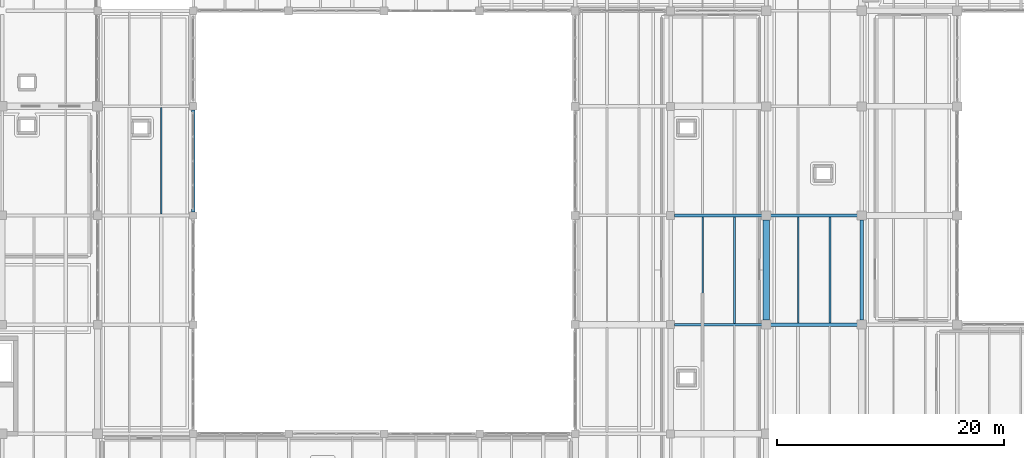
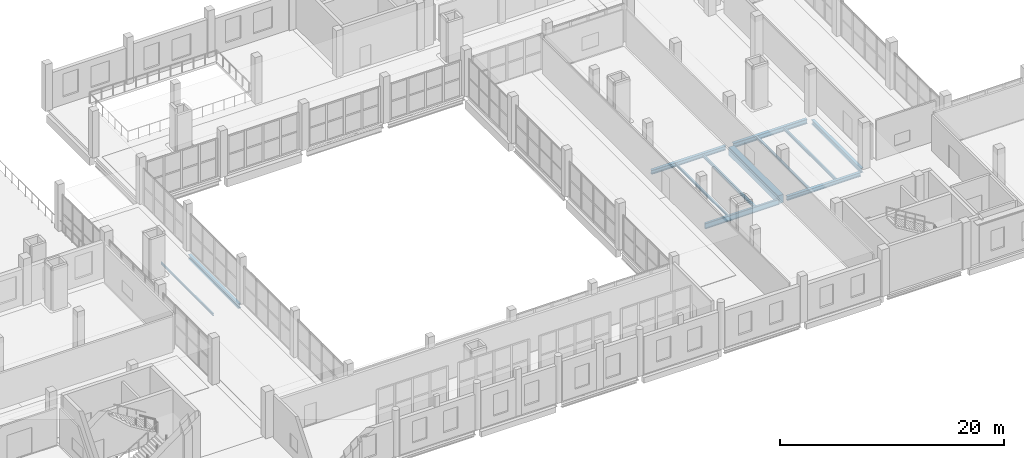
# One storey, part 26 of 73: 12 beams.
"""IFC4 building model written with IfcOpenShell, lengths in metres."""

from ifc_helpers import new_model, si_unit, direction, frame, origin, origin_2d, place, context, subcontext, project, spatial, rectangle, i_section, extrude, material, material_profile, profile_set, type_object, element, save


model = new_model("IFC4")

# Units and contexts
model_context = context("Model", 3, precision=1e-05, world=origin(), true_north=direction((0.0, 1.0)))
body_context = subcontext(model_context, "Body", "Model", "MODEL_VIEW")
ifc_project = project(units=[si_unit("LENGTHUNIT", "METRE"), si_unit("AREAUNIT", "SQUARE_METRE"), si_unit("VOLUMEUNIT", "CUBIC_METRE"), si_unit("PLANEANGLEUNIT", "RADIAN"), si_unit("MASSUNIT", "GRAM", prefix="KILO")], contexts=[model_context])

# Site, building, storey
site_placement = place(None, origin())
site = spatial("IfcSite", under=ifc_project, at=site_placement, CompositionType="ELEMENT")
building_placement = place(site_placement, origin())
building = spatial("IfcBuilding", under=site, at=building_placement, Name="Zulmaris Art Gallery", CompositionType="ELEMENT")
storey_placement = place(building_placement, frame((0.0, 0.0, 10.5)))
storey = spatial("IfcBuildingStorey", under=building, at=storey_placement, Name="L02", CompositionType="ELEMENT", Elevation=10.5)

# Beams
ifc_material_1 = material(Name="Steel S355J2", Category="steel")
ifc_material_profile_1 = material_profile(ifc_material_1, i_section(OverallWidth=0.219970703125, OverallDepth=0.60009765625, WebThickness=0.011962890625, FlangeThickness=0.01904296875, FilletRadius=0.02392578125, at=origin_2d()), Name="IPE 600")
ifc_profile_set_1 = profile_set([ifc_material_profile_1], Name="Steel S355J2")
beam_type_1 = type_object("IfcBeamType", Name="BEAM-BM07", PredefinedType="BEAM", material=ifc_profile_set_1)
beam_1_placement = place(storey_placement, frame((133.534912109375, 31.199951171875, -0.699951171875), z_axis=(1.0, 0.0, 0.0), x_axis=(0.0, 1.0, 0.0)))
element("IfcBeam", 1, at=beam_1_placement, inside=storey, type_object=beam_type_1, Name="L02 X-girder (133.2..141.6, y=31.2)", PredefinedType="BEAM", context=body_context, shape_type="SweptSolid", body=[
    extrude(i_section(OverallWidth=0.219970703125, OverallDepth=0.60009765625, WebThickness=0.011962890625, FlangeThickness=0.01904296875, FilletRadius=0.02392578125, at=origin_2d()), origin(), (0.0, 0.0, 1.0), 7.68017578125),
])
ifc_material_profile_2 = material_profile(ifc_material_1, i_section(OverallWidth=0.300048828125, OverallDepth=0.43994140625, WebThickness=0.011474609375, FlangeThickness=0.02099609375, FilletRadius=0.027099609375, at=origin_2d()), Name="HEA 450")
ifc_profile_set_2 = profile_set([ifc_material_profile_2], Name="Steel S355J2")
beam_type_2 = type_object("IfcBeamType", Name="BEAM-BM10", PredefinedType="BEAM", material=ifc_profile_set_2)
beam_2_placement = place(storey_placement, frame((141.985107421875, 31.199951171875, -0.6201171875), z_axis=(1.0, 0.0, 0.0), x_axis=(0.0, 1.0, 0.0)))
element("IfcBeam", 2, at=beam_2_placement, inside=storey, type_object=beam_type_2, Name="L02 X-girder (141.6..150.0, y=31.2)", PredefinedType="BEAM", context=body_context, shape_type="SweptSolid", body=[
    extrude(i_section(OverallWidth=0.300048828125, OverallDepth=0.43994140625, WebThickness=0.011474609375, FlangeThickness=0.02099609375, FilletRadius=0.027099609375, at=origin_2d()), origin(), (0.0, 0.0, 1.0), 7.6298828125),
])
beam_3_placement = place(storey_placement, frame((133.534912109375, 40.800048828125, -0.6201171875), z_axis=(1.0, 0.0, 0.0), x_axis=(0.0, 1.0, 0.0)))
element("IfcBeam", 3, at=beam_3_placement, inside=storey, type_object=beam_type_2, Name="L02 X-girder (133.2..141.6, y=40.8)", PredefinedType="BEAM", context=body_context, shape_type="SweptSolid", body=[
    extrude(i_section(OverallWidth=0.300048828125, OverallDepth=0.43994140625, WebThickness=0.011474609375, FlangeThickness=0.02099609375, FilletRadius=0.027099609375, at=origin_2d()), origin(), (0.0, 0.0, 1.0), 7.68017578125),
])
ifc_material_profile_3 = material_profile(ifc_material_1, i_section(OverallWidth=0.300048828125, OverallDepth=0.489990234375, WebThickness=0.011962890625, FlangeThickness=0.02294921875, FilletRadius=0.027099609375, at=origin_2d()), Name="HEA 500")
ifc_profile_set_3 = profile_set([ifc_material_profile_3], Name="Steel S355J2")
beam_type_3 = type_object("IfcBeamType", Name="BEAM-BM11", PredefinedType="BEAM", material=ifc_profile_set_3)
beam_4_placement = place(storey_placement, frame((150.0, 31.5849609375, -0.64501953125), z_axis=(0.0, 1.0, 0.0), x_axis=(-1.0, 0.0, 0.0)))
element("IfcBeam", 4, at=beam_4_placement, inside=storey, type_object=beam_type_3, Name="L02 Y-girder (x=150.0, 31.2..40.8)", PredefinedType="BEAM", context=body_context, shape_type="SweptSolid", body=[
    extrude(i_section(OverallWidth=0.300048828125, OverallDepth=0.489990234375, WebThickness=0.011962890625, FlangeThickness=0.02294921875, FilletRadius=0.027099609375, at=origin_2d()), origin(), (0.0, 0.0, 1.0), 8.830078125),
])
ifc_material_profile_4 = material_profile(ifc_material_1, i_section(OverallWidth=0.300048828125, OverallDepth=0.5, WebThickness=0.014404296875, FlangeThickness=0.028076171875, FilletRadius=0.027099609375, at=origin_2d()), Name="HEB 500")
ifc_profile_set_4 = profile_set([ifc_material_profile_4], Name="Steel S355J2")
beam_type_4 = type_object("IfcBeamType", Name="BEAM-BM14", PredefinedType="BEAM", material=ifc_profile_set_4)
beam_5_placement = place(storey_placement, frame((141.985107421875, 40.800048828125, -0.64990234375), z_axis=(1.0, 0.0, 0.0), x_axis=(0.0, 1.0, 0.0)))
element("IfcBeam", 5, at=beam_5_placement, inside=storey, type_object=beam_type_4, Name="L02 X-girder (141.6..150.0, y=40.8)", PredefinedType="BEAM", context=body_context, shape_type="SweptSolid", body=[
    extrude(i_section(OverallWidth=0.300048828125, OverallDepth=0.5, WebThickness=0.014404296875, FlangeThickness=0.028076171875, FilletRadius=0.027099609375, at=origin_2d()), origin(), (0.0, 0.0, 1.0), 7.6298828125),
])
beam_6_placement = place(storey_placement, frame((91.199951171875, 41.110107421875, -0.64990234375), z_axis=(0.0, 1.0, 0.0), x_axis=(-1.0, 0.0, 0.0)))
element("IfcBeam", 6, at=beam_6_placement, inside=storey, type_object=beam_type_4, Name="L02 Y-girder (x=91.2, 40.8..50.4)", PredefinedType="BEAM", context=body_context, shape_type="SweptSolid", body=[
    extrude(i_section(OverallWidth=0.300048828125, OverallDepth=0.5, WebThickness=0.014404296875, FlangeThickness=0.028076171875, FilletRadius=0.027099609375, at=origin_2d()), origin(), (0.0, 0.0, 1.0), 8.97998046875),
])
ifc_material_2 = material(Name="Concrete C40/50", Category="concrete")
ifc_material_profile_5 = material_profile(ifc_material_2, rectangle(XDim=0.550048828125, YDim=0.89990234375, at=origin_2d()), Name="RC 550x900")
ifc_profile_set_5 = profile_set([ifc_material_profile_5], Name="Concrete C40/50")
beam_type_5 = type_object("IfcBeamType", Name="BEAM-BM21", PredefinedType="BEAM", material=ifc_profile_set_5)
beam_7_placement = place(storey_placement, frame((141.60009765625, 31.5849609375, -0.85009765625), z_axis=(0.0, 1.0, 0.0), x_axis=(-1.0, 0.0, 0.0)))
element("IfcBeam", 7, at=beam_7_placement, inside=storey, type_object=beam_type_5, Name="L02 Y-girder (x=141.6, 31.2..40.8)", PredefinedType="BEAM", context=body_context, shape_type="SweptSolid", body=[
    extrude(rectangle(XDim=0.550048828125, YDim=0.89990234375, at=origin_2d()), origin(), (0.0, 0.0, 1.0), 8.830078125),
])
ifc_material_profile_6 = material_profile(ifc_material_1, i_section(OverallWidth=0.1201171875, OverallDepth=0.239990234375, WebThickness=0.006103515625, FlangeThickness=0.009765625, FilletRadius=0.014892578125, at=origin_2d()), Name="IPE 240")
ifc_profile_set_6 = profile_set([ifc_material_profile_6], Name="Steel S355J2")
beam_type_6 = type_object("IfcBeamType", Name="BEAM-JS01", PredefinedType="JOIST", material=ifc_profile_set_6)
beam_8_placement = place(storey_placement, frame((88.39990234375, 40.925048828125, -0.52001953125), z_axis=(0.0, 1.0, 0.0), x_axis=(-1.0, 0.0, 0.0)))
element("IfcBeam", 8, at=beam_8_placement, inside=storey, type_object=beam_type_6, Name="L02 secondary joist at x=88.4", PredefinedType="JOIST", context=body_context, shape_type="SweptSolid", body=[
    extrude(i_section(OverallWidth=0.1201171875, OverallDepth=0.239990234375, WebThickness=0.006103515625, FlangeThickness=0.009765625, FilletRadius=0.014892578125, at=origin_2d()), origin(), (0.0, 0.0, 1.0), 9.389892578125),
])
ifc_material_profile_7 = material_profile(ifc_material_1, i_section(OverallWidth=0.135009765625, OverallDepth=0.27001953125, WebThickness=0.006591796875, FlangeThickness=0.01025390625, FilletRadius=0.014892578125, at=origin_2d()), Name="IPE 270")
ifc_profile_set_7 = profile_set([ifc_material_profile_7], Name="Steel S355J2")
beam_type_7 = type_object("IfcBeamType", Name="BEAM-JS02", PredefinedType="JOIST", material=ifc_profile_set_7)
beam_9_placement = place(storey_placement, frame((136.0, 31.284912109375, -0.534912109375), z_axis=(0.0, 1.0, 0.0), x_axis=(-1.0, 0.0, 0.0)))
element("IfcBeam", 9, at=beam_9_placement, inside=storey, type_object=beam_type_7, Name="L02 secondary joist at x=136.0", PredefinedType="JOIST", context=body_context, shape_type="SweptSolid", body=[
    extrude(i_section(OverallWidth=0.135009765625, OverallDepth=0.27001953125, WebThickness=0.006591796875, FlangeThickness=0.01025390625, FilletRadius=0.014892578125, at=origin_2d()), origin(), (0.0, 0.0, 1.0), 9.39013671875),
])
beam_10_placement = place(storey_placement, frame((144.39990234375, 31.324951171875, -0.534912109375), z_axis=(0.0, 1.0, 0.0), x_axis=(-1.0, 0.0, 0.0)))
element("IfcBeam", 10, at=beam_10_placement, inside=storey, type_object=beam_type_7, Name="L02 secondary joist at x=144.4", PredefinedType="JOIST", context=body_context, shape_type="SweptSolid", body=[
    extrude(i_section(OverallWidth=0.135009765625, OverallDepth=0.27001953125, WebThickness=0.006591796875, FlangeThickness=0.01025390625, FilletRadius=0.014892578125, at=origin_2d()), origin(), (0.0, 0.0, 1.0), 9.35009765625),
])
ifc_material_profile_8 = material_profile(ifc_material_1, i_section(OverallWidth=0.159912109375, OverallDepth=0.330078125, WebThickness=0.007568359375, FlangeThickness=0.011474609375, FilletRadius=0.01806640625, at=origin_2d()), Name="IPE 330")
ifc_profile_set_8 = profile_set([ifc_material_profile_8], Name="Steel S355J2")
beam_type_8 = type_object("IfcBeamType", Name="BEAM-JS03", PredefinedType="JOIST", material=ifc_profile_set_8)
beam_11_placement = place(storey_placement, frame((138.800048828125, 31.284912109375, -0.56494140625), z_axis=(0.0, 1.0, 0.0), x_axis=(-1.0, 0.0, 0.0)))
element("IfcBeam", 11, at=beam_11_placement, inside=storey, type_object=beam_type_8, Name="L02 secondary joist at x=138.8", PredefinedType="JOIST", context=body_context, shape_type="SweptSolid", body=[
    extrude(i_section(OverallWidth=0.159912109375, OverallDepth=0.330078125, WebThickness=0.007568359375, FlangeThickness=0.011474609375, FilletRadius=0.01806640625, at=origin_2d()), origin(), (0.0, 0.0, 1.0), 9.39013671875),
])
beam_12_placement = place(storey_placement, frame((147.199951171875, 31.324951171875, -0.56494140625), z_axis=(0.0, 1.0, 0.0), x_axis=(-1.0, 0.0, 0.0)))
element("IfcBeam", 12, at=beam_12_placement, inside=storey, type_object=beam_type_8, Name="L02 secondary joist at x=147.2", PredefinedType="JOIST", context=body_context, shape_type="SweptSolid", body=[
    extrude(i_section(OverallWidth=0.159912109375, OverallDepth=0.330078125, WebThickness=0.007568359375, FlangeThickness=0.011474609375, FilletRadius=0.01806640625, at=origin_2d()), origin(), (0.0, 0.0, 1.0), 9.35009765625),
])

save(model, "model.ifc")
